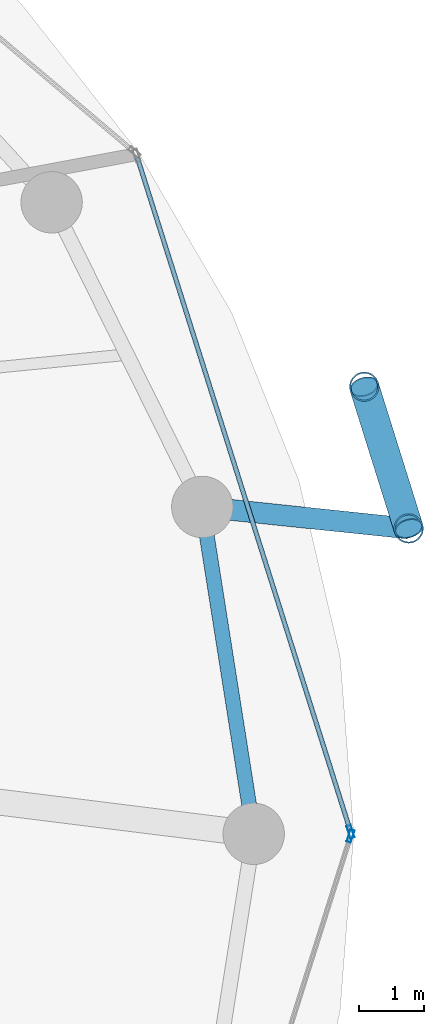
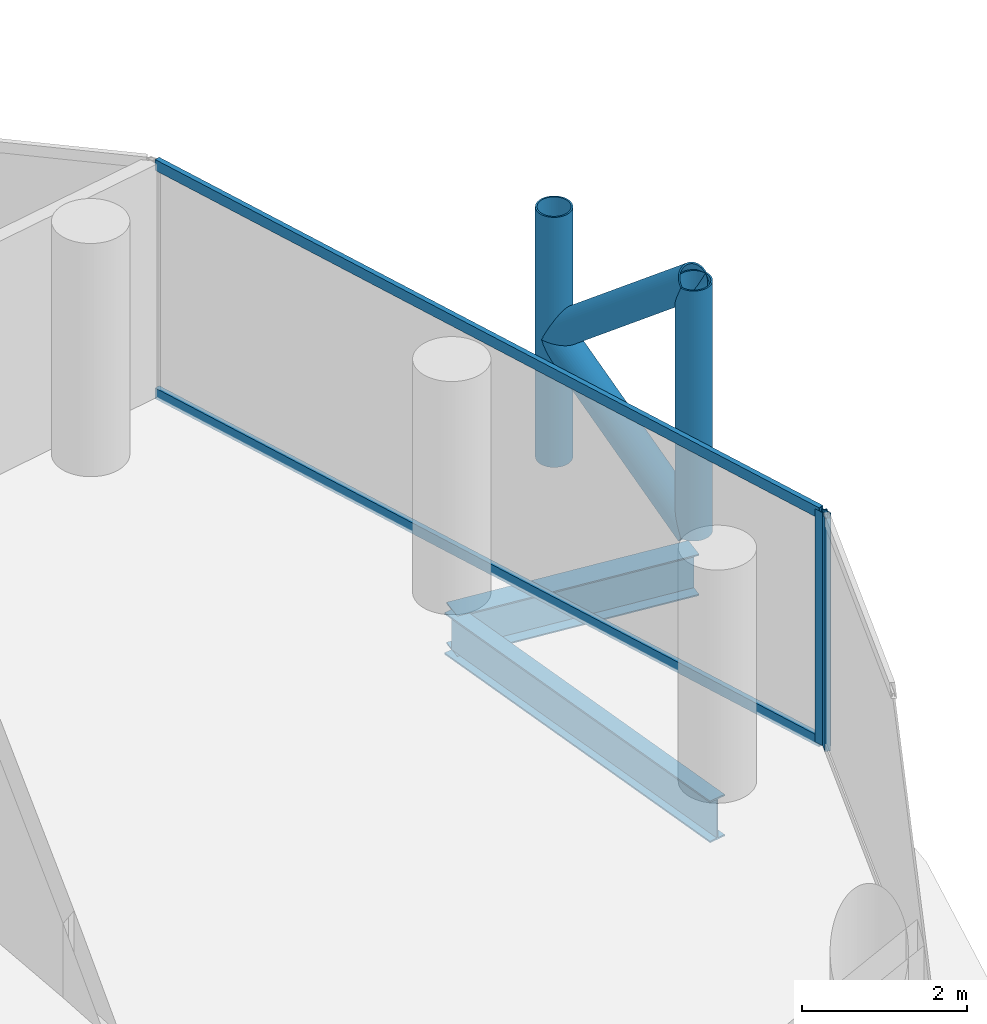
# One storey, part 12 of 26: 8 members, 2 beams, 2 elements without a shape of their own.
"""IFC4 building model written with IfcOpenShell, lengths in metres."""

from ifc_helpers import new_model, si_unit, direction, frame, origin, origin_2d, place, context, subcontext, project, spatial, hollow_rectangle, hollow_circle, i_section, extrude, material, layer, layer_set, material_profile, profile_set, type_object, element, aggregate, save


model = new_model("IFC4")

# Units and contexts
model_context = context("Model", 3, precision=1e-05, world=origin(), true_north=direction((0.0, 1.0)))
body_context = subcontext(model_context, "Body", "Model", "MODEL_VIEW")
ifc_project = project(units=[si_unit("LENGTHUNIT", "METRE"), si_unit("AREAUNIT", "SQUARE_METRE"), si_unit("VOLUMEUNIT", "CUBIC_METRE"), si_unit("PLANEANGLEUNIT", "RADIAN"), si_unit("MASSUNIT", "GRAM", prefix="KILO")], contexts=[model_context])

# Site, building, storey
site_placement = place(None, origin())
site = spatial("IfcSite", under=ifc_project, at=site_placement, CompositionType="ELEMENT")
building_placement = place(site_placement, origin())
building = spatial("IfcBuilding", under=site, at=building_placement, Name="Nuhasar Tower", CompositionType="ELEMENT")
storey_placement = place(building_placement, frame((0.0, 0.0, 166.35009765625)))
storey = spatial("IfcBuildingStorey", under=building, at=storey_placement, Name="L40", CompositionType="ELEMENT", Elevation=166.35009765625)

# Beams
ifc_material_1 = material(Name="Steel S355", Category="steel")
ifc_material_profile_1 = material_profile(ifc_material_1, i_section(OverallWidth=0.22998046875, OverallDepth=0.616943359375, WebThickness=0.01318359375, FlangeThickness=0.022216796875, at=origin_2d()), Name="W24X94")
ifc_profile_set_1 = profile_set([ifc_material_profile_1], Name="Steel S355")
beam_type_1 = type_object("IfcBeamType", Name="BM-RING-W24X94", PredefinedType="SPANDREL", material=ifc_profile_set_1)
beam_1_placement = place(storey_placement, frame((62.35009765625, 26.800048828125, -0.55908203125), z_axis=(-0.155426543608, 0.987847452566, 0.0), x_axis=(-0.987847452566, -0.155426543608, 0.0)))
element("IfcBeam", 1, at=beam_1_placement, inside=storey, type_object=beam_type_1, Name="L40 Perimeter Ring Spandrel 01", PredefinedType="SPANDREL", context=body_context, shape_type="SweptSolid", body=[
    extrude(i_section(OverallWidth=0.22998046875, OverallDepth=0.616943359375, WebThickness=0.01318359375, FlangeThickness=0.022216796875, at=origin_2d()), origin(), (0.0, 0.0, 1.0), 5.122314453125),
])
ifc_material_profile_2 = material_profile(ifc_material_1, i_section(OverallWidth=0.323974609375, OverallDepth=0.611083984375, WebThickness=0.0126953125, FlangeThickness=0.01904296875, at=origin_2d()), Name="W24X104")
ifc_profile_set_2 = profile_set([ifc_material_profile_2], Name="Steel S355")
beam_type_2 = type_object("IfcBeamType", Name="BM-TIE-W24X104", PredefinedType="BEAM", material=ifc_profile_set_2)
beam_2_placement = place(storey_placement, frame((61.553955078125, 31.860107421875, -0.55615234375), z_axis=(0.994569828715, -0.104071397654, 0.0), x_axis=(0.104071397654, 0.994569828715, 0.0)))
element("IfcBeam", 2, at=beam_2_placement, inside=storey, type_object=beam_type_2, Name="L40 Exoskeleton Node Tie Beam 01", PredefinedType="BEAM", context=body_context, shape_type="SweptSolid", body=[
    extrude(i_section(OverallWidth=0.323974609375, OverallDepth=0.611083984375, WebThickness=0.0126953125, FlangeThickness=0.01904296875, at=origin_2d()), origin(), (0.0, 0.0, 1.0), 3.21142578125),
])

# Curtain wall, member
ifc_material_2 = material(Name="Aluminium 6063-T6", Category="aluminium")
ifc_layer = layer(ifc_material_2, 0.199951171875)
ifc_layer_set = layer_set([ifc_layer], Name="Aluminium 6063-T6")
curtain_wall_type = type_object("IfcCurtainWallType", Name="CW-Z2-HTL", PredefinedType="NOTDEFINED", material=ifc_layer_set)
curtain_wall_1_placement = place(storey_placement, origin())
curtain_wall_1 = element("IfcCurtainWall", 3, at=curtain_wall_1_placement, inside=storey, type_object=curtain_wall_type, Name="L40 Unitised Curtain Wall 01", PredefinedType="NOTDEFINED")
ifc_material_profile_3 = material_profile(ifc_material_2, hollow_rectangle(XDim=0.070068359375, YDim=0.199951171875, WallThickness=0.0048828125, at=origin_2d()), Name="CWM-3")
ifc_profile_set_3 = profile_set([ifc_material_profile_3], Name="Aluminium 6063-T6")
member_type_1 = type_object("IfcMemberType", Name="CW-MUL-S3", PredefinedType="MULLION", material=ifc_profile_set_3)
member_1_placement = place(storey_placement, frame((63.849365234375, 26.833251953125, 0.0), z_axis=(0.0, 0.0, 1.0), x_axis=(-0.953433389233, -0.301603667577, 0.0)))
member_1 = element("IfcMember", 4, at=member_1_placement, type_object=member_type_1, Name="CW-Z2 mullion 1", PredefinedType="MULLION", context=body_context, shape_type="SweptSolid", body=[
    extrude(hollow_rectangle(XDim=0.070068359375, YDim=0.199951171875, WallThickness=0.0048828125, at=origin_2d()), origin(), (0.0, 0.0, 1.0), 3.449951171875),
])

curtain_wall_2_placement = place(storey_placement, origin())
curtain_wall_2 = element("IfcCurtainWall", 5, at=curtain_wall_2_placement, inside=storey, type_object=curtain_wall_type, Name="L40 Unitised Curtain Wall 12", PredefinedType="NOTDEFINED")
member_2_placement = place(storey_placement, frame((63.849365234375, 26.7666015625, 0.0), z_axis=(0.0, 0.0, 1.0), x_axis=(-0.953433389233, 0.301603667577, 0.0)))
member_2 = element("IfcMember", 6, at=member_2_placement, type_object=member_type_1, Name="CW-Z2 mullion 2", PredefinedType="MULLION", context=body_context, shape_type="SweptSolid", body=[
    extrude(hollow_rectangle(XDim=0.070068359375, YDim=0.199951171875, WallThickness=0.0048828125, at=origin_2d()), origin(), (0.0, 0.0, 1.0), 3.449951171875),
])
aggregate(curtain_wall_2, [member_2])

# Member
ifc_material_profile_4 = material_profile(ifc_material_2, hollow_rectangle(XDim=0.070068359375, YDim=0.159912109375, WallThickness=0.00439453125, at=origin_2d()), Name="CWT-3")
ifc_profile_set_4 = profile_set([ifc_material_profile_4], Name="Aluminium 6063-T6")
member_type_2 = type_object("IfcMemberType", Name="CW-TRN-S3", PredefinedType="USERDEFINED", material=ifc_profile_set_4)
member_3_placement = place(storey_placement, frame((63.8388671875, 26.86669921875, 0.034912109375), z_axis=(-0.301608163352, 0.953431967053, 0.0), x_axis=(-0.953431967053, -0.301608163352, 0.0)))
member_3 = element("IfcMember", 7, at=member_3_placement, type_object=member_type_2, Name="CW-Z2 transom 1.1", ObjectType="TRANSOM", PredefinedType="USERDEFINED", context=body_context, shape_type="SweptSolid", body=[
    extrude(hollow_rectangle(XDim=0.070068359375, YDim=0.159912109375, WallThickness=0.00439453125, at=origin_2d()), origin(), (0.0, 0.0, 1.0), 10.904296875),
])

member_4_placement = place(storey_placement, frame((63.8388671875, 26.86669921875, 3.414794921875), z_axis=(-0.301608163352, 0.953431967053, 0.0), x_axis=(-0.953431967053, -0.301608163352, 0.0)))
member_4 = element("IfcMember", 8, at=member_4_placement, type_object=member_type_2, Name="CW-Z2 transom 1.2", ObjectType="TRANSOM", PredefinedType="USERDEFINED", context=body_context, shape_type="SweptSolid", body=[
    extrude(hollow_rectangle(XDim=0.070068359375, YDim=0.159912109375, WallThickness=0.00439453125, at=origin_2d()), origin(), (0.0, 0.0, 1.0), 10.904296875),
])

aggregate(curtain_wall_1, [member_1, member_3, member_4])

# Members
ifc_material_3 = material(Name="Steel S460", Category="steel")
ifc_material_profile_5 = material_profile(ifc_material_3, hollow_circle(Radius=0.228515625, WallThickness=0.022216796875, at=origin_2d()), Name="HSS457X22.2")
ifc_profile_set_5 = profile_set([ifc_material_profile_5], Name="Steel S460")
member_type_3 = type_object("IfcMemberType", Name="EXO-BRONZE-457", PredefinedType="BRACE", material=ifc_profile_set_5)
for number, where, z_axis, x_axis, name in (
    (9, (64.748046875, 31.52587890625, 0.0), (0.0, 0.0, 1.0), (1.0, 0.0, 0.0), "L40 Exoskeleton Chord Column EC-01A"),
    (10, (64.06005859375, 33.720947265625, 0.0), (0.0, 0.0, 1.0), (1.0, 0.0, 0.0), "L40 Exoskeleton Chord Column EC-01B"),
):
    element("IfcMember", number, at=place(storey_placement, frame(where, z_axis=z_axis, x_axis=x_axis)), inside=storey, type_object=member_type_3, Name=name, PredefinedType="BRACE", context=body_context, shape_type="SweptSolid", body=[
        extrude(hollow_circle(Radius=0.228515625, WallThickness=0.022216796875, at=origin_2d()), origin(), (0.0, 0.0, 1.0), 3.699951171875),
    ])
member_5_placement = place(storey_placement, frame((64.748046875, 31.52587890625, 0.0), z_axis=(-0.233067628236, 0.74361641074, 0.626669062861), x_axis=(-0.954228474306, -0.29907861646, 0.0)))
element("IfcMember", 11, at=member_5_placement, inside=storey, type_object=member_type_3, Name="L40 Bronze Diagrid Brace W1-01", PredefinedType="BRACE", context=body_context, shape_type="SweptSolid", body=[
    extrude(hollow_circle(Radius=0.228515625, WallThickness=0.022216796875, at=origin_2d()), origin(), (0.0, 0.0, 1.0), 2.951904296875),
])
member_6_placement = place(storey_placement, frame((64.06005859375, 33.720947265625, 1.849853515625), z_axis=(0.233055548538, -0.743577869731, 0.626719285599), x_axis=(0.954228474306, 0.29907861646, 0.0)))
element("IfcMember", 12, at=member_6_placement, inside=storey, type_object=member_type_3, Name="L40 Bronze Diagrid Brace W2-01", PredefinedType="BRACE", context=body_context, shape_type="SweptSolid", body=[
    extrude(hollow_circle(Radius=0.228515625, WallThickness=0.022216796875, at=origin_2d()), origin(), (0.0, 0.0, 1.0), 2.9521484375),
])

save(model, "model.ifc")
